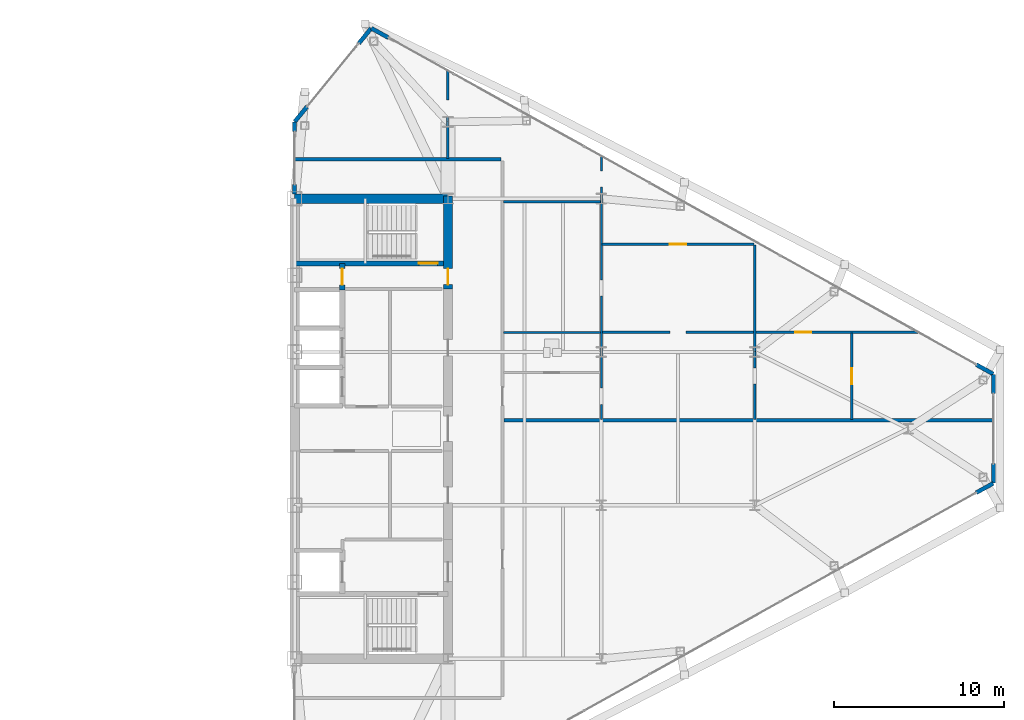
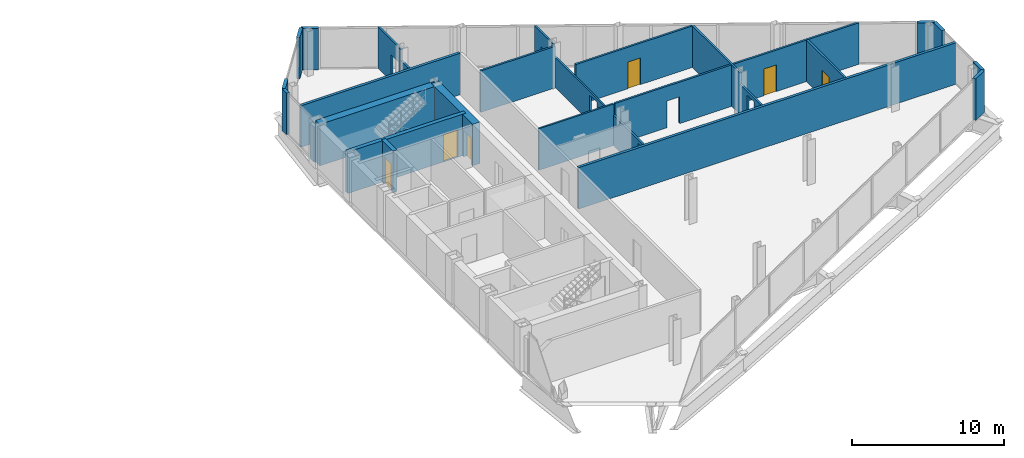
# One storey, part 24 of 28: 26 walls, 6 doors, 12 openings.
"""IFC4 building model written with IfcOpenShell, lengths in metres."""

from ifc_helpers import new_model, si_unit, direction, frame, frame_2d, origin, place, context, subcontext, project, spatial, rectangle, extrude, source, transform, mapped, material, layer, layer_set, type_object, type_shapes, element, fill, save


model = new_model("IFC4")

# Units and contexts
model_context = context("Model", 3, precision=1e-05, world=origin(), true_north=direction((0.0, 1.0)))
body_context = subcontext(model_context, "Body", "Model", "MODEL_VIEW")
ifc_project = project(units=[si_unit("LENGTHUNIT", "METRE"), si_unit("AREAUNIT", "SQUARE_METRE"), si_unit("VOLUMEUNIT", "CUBIC_METRE"), si_unit("PLANEANGLEUNIT", "RADIAN"), si_unit("MASSUNIT", "GRAM", prefix="KILO")], contexts=[model_context])

# Site, building, storey
site_placement = place(None, origin())
site = spatial("IfcSite", under=ifc_project, at=site_placement, CompositionType="ELEMENT")
building_placement = place(site_placement, origin())
building = spatial("IfcBuilding", under=site, at=building_placement, Name="Seokmaru Belvedere", CompositionType="ELEMENT")
storey_placement = place(building_placement, frame((0.0, 0.0, 158.39990234375)))
storey = spatial("IfcBuildingStorey", under=building, at=storey_placement, Name="L42", CompositionType="ELEMENT", Elevation=158.39990234375)

# Wall, openings, door
ifc_material_1 = material(Name="Fire-Rated Gypsum Shaftwall")
ifc_layer_1 = layer(ifc_material_1, 0.14990234375)
ifc_layer_set_1 = layer_set([ifc_layer_1], Name="Fire-Rated Gypsum Shaftwall")
wall_type_1 = type_object("IfcWallType", Name="Apartment Fire-Acoustic Room Partition 150", PredefinedType="PARTITIONING", material=ifc_layer_set_1)
wall_1_placement = place(storey_placement, frame((45.550048828125, 5.659912109375, 0.0), z_axis=(0.0, 0.0, 1.0), x_axis=(1.0, 0.0, 0.0)))
wall_1 = element("IfcWall", 1, at=wall_1_placement, inside=storey, type_object=wall_type_1, Name="L42 Interior Partition 015", PredefinedType="PARTITIONING", context=body_context, shape_type="SweptSolid", body=[
    extrude(rectangle(XDim=18.554931640625, YDim=0.14990234375, at=frame_2d((9.27734375, 0.0))), origin(), (0.0, 0.0, 1.0), 3.340087890625),
])
opening_1_placement = place(wall_1_placement, frame((3.97509765625, 0.0, 0.0)))
element("IfcOpeningElement", 2, at=opening_1_placement, cuts=wall_1, Name="L42 Cased Opening 028", PredefinedType="OPENING", context=body_context, shape_type="SweptSolid", body=[
    extrude(rectangle(XDim=0.949951171875, YDim=2.14990234375, at=frame_2d((0.47509765625, 1.074951171875))), frame((0.0, 0.0849609375, 0.0), z_axis=(0.0, -1.0, 0.0), x_axis=(1.0, 0.0, 0.0)), (0.0, 0.0, 1.0), 0.169921875),
])
opening_2_placement = place(wall_1_placement, frame((11.324951171875, 0.0, 0.0)))
opening_2 = element("IfcOpeningElement", 3, at=opening_2_placement, cuts=wall_1, Name="Opening D05", PredefinedType="OPENING", context=body_context, shape_type="SweptSolid", body=[
    extrude(rectangle(XDim=0.949951171875, YDim=2.14990234375, at=frame_2d((0.47509765625, 1.074951171875))), frame((0.0, 0.0849609375, 0.0), z_axis=(0.0, -1.0, 0.0), x_axis=(1.0, 0.0, 0.0)), (0.0, 0.0, 1.0), 0.169921875),
])
ifc_material_2 = material(Name="Engineered White Oak Timber", Category="wood")
door_type_1 = type_object("IfcDoorType", Name="Apartment Interior Fire-Rated Oak Door 950x2150", OperationType="NOTDEFINED", PredefinedType="DOOR", material=ifc_material_2)
shared_shape_1 = source(origin(), body_context, "Body", "SweptSolid", [
    extrude(rectangle(XDim=0.949951171875, YDim=2.14990234375, at=frame_2d((0.47509765625, 1.074951171875))), frame((0.0, 0.02490234375, 0.0), z_axis=(0.0, -1.0, 0.0), x_axis=(1.0, 0.0, 0.0)), (0.0, 0.0, 1.0), 0.050048828125),
])
type_shapes(door_type_1, [shared_shape_1])
door_1_placement = place(opening_2_placement, origin())
door_1 = element("IfcDoor", 4, at=door_1_placement, inside=storey, type_object=door_type_1, Name="L42 Interior Door 031", OperationType="SINGLE_SWING_LEFT", OverallHeight=2.14990234375, OverallWidth=0.949951171875, PredefinedType="DOOR", context=body_context, shape_type="MappedRepresentation", body=[
    mapped(shared_shape_1, transform((0.0, 0.0, 0.0), scale=1.0)),
])
fill(opening_2, door_1)

# Wall, opening, door
wall_2_placement = place(storey_placement, frame((45.550048828125, 10.830078125, 0.0), z_axis=(0.0, 0.0, 1.0), x_axis=(1.0, 0.0, 0.0)))
wall_2 = element("IfcWall", 5, at=wall_2_placement, inside=storey, type_object=wall_type_1, Name="L42 Interior Partition 017", PredefinedType="PARTITIONING", context=body_context, shape_type="SweptSolid", body=[
    extrude(rectangle(XDim=8.89990234375, YDim=0.14990234375, at=frame_2d((4.449951171875, 0.0))), origin(), (0.0, 0.0, 1.0), 3.340087890625),
])
opening_3_placement = place(wall_2_placement, frame((3.97509765625, 0.0, 0.0)))
opening_3 = element("IfcOpeningElement", 6, at=opening_3_placement, cuts=wall_2, Name="Opening D05", PredefinedType="OPENING", context=body_context, shape_type="SweptSolid", body=[
    extrude(rectangle(XDim=0.949951171875, YDim=2.14990234375, at=frame_2d((0.47509765625, 1.074951171875))), frame((0.0, 0.0849609375, 0.0), z_axis=(0.0, -1.0, 0.0), x_axis=(1.0, 0.0, 0.0)), (0.0, 0.0, 1.0), 0.169921875),
])
door_2_placement = place(opening_3_placement, origin())
door_2 = element("IfcDoor", 7, at=door_2_placement, inside=storey, type_object=door_type_1, Name="L42 Interior Door 032", OperationType="SINGLE_SWING_LEFT", OverallHeight=2.14990234375, OverallWidth=0.949951171875, PredefinedType="DOOR", context=body_context, shape_type="MappedRepresentation", body=[
    mapped(shared_shape_1, transform((0.0, 0.0, 0.0), scale=1.0)),
])
fill(opening_3, door_2)

# Walls
wall_3_placement = place(storey_placement, frame((39.75, 13.320068359375, 0.0), z_axis=(0.0, 0.0, 1.0), x_axis=(1.0, 0.0, 0.0)))
element("IfcWall", 8, at=wall_3_placement, inside=storey, type_object=wall_type_1, Name="L42 Interior Partition 018", PredefinedType="PARTITIONING", context=body_context, shape_type="SweptSolid", body=[
    extrude(rectangle(XDim=5.699951171875, YDim=0.14990234375, at=frame_2d((2.85009765625, 0.0))), origin(), (0.0, 0.0, 1.0), 3.340087890625),
])
wall_4_placement = place(storey_placement, frame((36.5, 15.85009765625, 0.0), z_axis=(0.0, 0.0, 1.0), x_axis=(0.0, 1.0, 0.0)))
element("IfcWall", 9, at=wall_4_placement, inside=storey, type_object=wall_type_1, Name="L42 Interior Partition 029", PredefinedType="PARTITIONING", context=body_context, shape_type="SweptSolid", body=[
    extrude(rectangle(XDim=2.169921875, YDim=0.14990234375, at=frame_2d((1.0849609375, 0.0))), origin(), (0.0, 0.0, 1.0), 2.440185546875),
])

# Wall, opening
wall_5_placement = place(storey_placement, frame((36.5, 18.02001953125, 0.0), z_axis=(0.0, 0.0, 1.0), x_axis=(0.0, 1.0, 0.0)))
wall_5 = element("IfcWall", 10, at=wall_5_placement, inside=storey, type_object=wall_type_1, Name="L42 Interior Partition 029 Part 2", PredefinedType="PARTITIONING", context=body_context, shape_type="SweptSolid", body=[
    extrude(rectangle(XDim=3.011962890625, YDim=0.14990234375, at=frame_2d((1.505859375, 0.0))), origin(), (0.0, 0.0, 1.0), 3.340087890625),
])
opening_4_placement = place(wall_5_placement, frame((0.30810546875, 0.0, 0.0)))
element("IfcOpeningElement", 11, at=opening_4_placement, cuts=wall_5, Name="L42 Cased Opening 034", PredefinedType="OPENING", context=body_context, shape_type="SweptSolid", body=[
    extrude(rectangle(XDim=0.949951171875, YDim=2.14990234375, at=frame_2d((0.47509765625, 1.074951171875))), frame((0.0, 0.0849609375, 0.0), z_axis=(0.0, -1.0, 0.0), x_axis=(1.0, 0.0, 0.0)), (0.0, 0.0, 1.0), 0.169921875),
])

wall_6_placement = place(storey_placement, frame((54.5, 0.550048828125, 0.0), z_axis=(0.0, 0.0, 1.0), x_axis=(0.0, 1.0, 0.0)))
wall_6 = element("IfcWall", 12, at=wall_6_placement, inside=storey, type_object=wall_type_1, Name="L42 Interior Partition 032", PredefinedType="PARTITIONING", context=body_context, shape_type="SweptSolid", body=[
    extrude(rectangle(XDim=3.969970703125, YDim=0.14990234375, at=frame_2d((1.98486328125, 0.0))), origin(), (0.0, 0.0, 1.0), 2.440185546875),
])
opening_5_placement = place(wall_6_placement, frame((2.056884765625, 0.0, 0.0)))
element("IfcOpeningElement", 13, at=opening_5_placement, cuts=wall_6, Name="L42 Cased Opening 027", PredefinedType="OPENING", context=body_context, shape_type="SweptSolid", body=[
    extrude(rectangle(XDim=0.949951171875, YDim=2.14990234375, at=frame_2d((0.47509765625, 1.074951171875))), frame((0.0, 0.0849609375, 0.0), z_axis=(0.0, -1.0, 0.0), x_axis=(1.0, 0.0, 0.0)), (0.0, 0.0, 1.0), 0.169921875),
])

# Wall
wall_7_placement = place(storey_placement, frame((54.5, 4.52001953125, 0.0), z_axis=(0.0, 0.0, 1.0), x_axis=(0.0, 1.0, 0.0)))
element("IfcWall", 14, at=wall_7_placement, inside=storey, type_object=wall_type_1, Name="L42 Interior Partition 032 Part 2", PredefinedType="PARTITIONING", context=body_context, shape_type="SweptSolid", body=[
    extrude(rectangle(XDim=6.258056640625, YDim=0.14990234375, at=frame_2d((3.12890625, 0.0))), origin(), (0.0, 0.0, 1.0), 3.340087890625),
])

# Wall, opening, door
wall_8_placement = place(storey_placement, frame((60.199951171875, 0.550048828125, 0.0), z_axis=(0.0, 0.0, 1.0), x_axis=(0.0, 1.0, 0.0)))
wall_8 = element("IfcWall", 15, at=wall_8_placement, inside=storey, type_object=wall_type_1, Name="L42 Interior Partition 033", PredefinedType="PARTITIONING", context=body_context, shape_type="SweptSolid", body=[
    extrude(rectangle(XDim=5.06396484375, YDim=0.14990234375, at=frame_2d((2.531982421875, 0.0))), origin(), (0.0, 0.0, 1.0), 3.340087890625),
])
opening_6_placement = place(wall_8_placement, frame((2.056884765625, 0.0, 0.0)))
opening_6 = element("IfcOpeningElement", 16, at=opening_6_placement, cuts=wall_8, Name="Opening D05", PredefinedType="OPENING", context=body_context, shape_type="SweptSolid", body=[
    extrude(rectangle(XDim=0.949951171875, YDim=2.14990234375, at=frame_2d((0.47509765625, 1.074951171875))), frame((0.0, 0.0849609375, 0.0), z_axis=(0.0, -1.0, 0.0), x_axis=(1.0, 0.0, 0.0)), (0.0, 0.0, 1.0), 0.169921875),
])
door_3_placement = place(opening_6_placement, origin())
door_3 = element("IfcDoor", 17, at=door_3_placement, inside=storey, type_object=door_type_1, Name="L42 Interior Door 030", OperationType="SINGLE_SWING_LEFT", OverallHeight=2.14990234375, OverallWidth=0.949951171875, PredefinedType="DOOR", context=body_context, shape_type="MappedRepresentation", body=[
    mapped(shared_shape_1, transform((0.0, 0.0, 0.0), scale=1.0)),
])
fill(opening_6, door_3)

# Walls
ifc_layer_2 = layer(ifc_material_1, 0.199951171875)
ifc_layer_set_2 = layer_set([ifc_layer_2], Name="Fire-Rated Gypsum Shaftwall")
wall_type_2 = type_object("IfcWallType", Name="Inter-Tenancy Fire Compartment Partition 200", PredefinedType="PARTITIONING", material=ifc_layer_set_2)
wall_9_placement = place(storey_placement, frame((39.780029296875, 0.5, 0.0), z_axis=(0.0, 0.0, 1.0), x_axis=(1.0, 0.0, 0.0)))
element("IfcWall", 18, at=wall_9_placement, inside=storey, type_object=wall_type_2, Name="L42 Interior Partition 010", PredefinedType="PARTITIONING", context=body_context, shape_type="SweptSolid", body=[
    extrude(rectangle(XDim=28.724853515625, YDim=0.199951171875, at=frame_2d((14.3623046875, 0.0))), origin(), (0.0, 0.0, 1.0), 3.340087890625),
])
wall_10_placement = place(storey_placement, frame((27.5, 15.800048828125, 0.0), z_axis=(0.0, 0.0, 1.0), x_axis=(1.0, 0.0, 0.0)))
element("IfcWall", 19, at=wall_10_placement, inside=storey, type_object=wall_type_2, Name="L42 Interior Partition 020", PredefinedType="PARTITIONING", context=body_context, shape_type="SweptSolid", body=[
    extrude(rectangle(XDim=12.114990234375, YDim=0.199951171875, at=frame_2d((6.0576171875, 0.0))), origin(), (0.0, 0.0, 1.0), 3.340087890625),
])

# Wall, opening, door
ifc_material_3 = material(Name="Concrete C50 (50 MPa)", Category="concrete")
ifc_layer_3 = layer(ifc_material_3, 0.300048828125)
ifc_layer_set_3 = layer_set([ifc_layer_3], Name="Concrete C50 (50 MPa)")
wall_type_3 = type_object("IfcWallType", Name="Internal Core Stair and Hoistway Wall 300", PredefinedType="SHEAR", material=ifc_layer_set_3)
wall_11_placement = place(storey_placement, frame((27.5, 9.699951171875, 0.0), z_axis=(0.0, 0.0, 1.0), x_axis=(1.0, 0.0, 0.0)))
wall_11 = element("IfcWall", 20, at=wall_11_placement, inside=storey, type_object=wall_type_3, Name="L42 East Stair ST-2 Enclosure Wall", PredefinedType="SHEAR", context=body_context, shape_type="SweptSolid", body=[
    extrude(rectangle(XDim=9.0, YDim=0.300048828125, at=frame_2d((4.5, 0.0))), origin(), (0.0, 0.0, 1.0), 3.340087890625),
])
opening_7_placement = place(wall_11_placement, frame((7.300048828125, 0.0, 0.0)))
opening_7 = element("IfcOpeningElement", 21, at=opening_7_placement, cuts=wall_11, Name="Opening D01", PredefinedType="OPENING", context=body_context, shape_type="SweptSolid", body=[
    extrude(rectangle(XDim=1.10009765625, YDim=2.199951171875, at=frame_2d((0.550048828125, 1.10009765625))), frame((0.0, 0.16015625, 0.0), z_axis=(0.0, -1.0, 0.0), x_axis=(1.0, 0.0, 0.0)), (0.0, 0.0, 1.0), 0.320068359375),
])
ifc_material_4 = material(Name="Fire-Rated Steel Leaf", Category="steel")
door_type_2 = type_object("IfcDoorType", Name="Special Escape Stair Smokeproof Fire Door 1100x2200", OperationType="NOTDEFINED", PredefinedType="DOOR", material=ifc_material_4)
shared_shape_2 = source(origin(), body_context, "Body", "SweptSolid", [
    extrude(rectangle(XDim=1.10009765625, YDim=2.199951171875, at=frame_2d((0.550048828125, 1.10009765625))), frame((0.0, 0.02490234375, 0.0), z_axis=(0.0, -1.0, 0.0), x_axis=(1.0, 0.0, 0.0)), (0.0, 0.0, 1.0), 0.050048828125),
])
type_shapes(door_type_2, [shared_shape_2])
door_4_placement = place(opening_7_placement, origin())
door_4 = element("IfcDoor", 22, at=door_4_placement, inside=storey, type_object=door_type_2, Name="L42 East Special Escape Stair ST-2 Door", OperationType="SINGLE_SWING_LEFT", OverallHeight=2.199951171875, OverallWidth=1.10009765625, PredefinedType="DOOR", context=body_context, shape_type="MappedRepresentation", body=[
    mapped(shared_shape_2, transform((0.0, 0.0, 0.0), scale=1.0)),
])
fill(opening_7, door_4)

wall_12_placement = place(storey_placement, frame((30.300048828125, 8.14990234375, 0.0), z_axis=(0.0, 0.0, 1.0), x_axis=(0.0, 1.0, 0.0)))
wall_12 = element("IfcWall", 23, at=wall_12_placement, inside=storey, type_object=wall_type_3, Name="L42 East Electrical Riser Front Wall", PredefinedType="SHEAR", context=body_context, shape_type="SweptSolid", body=[
    extrude(rectangle(XDim=1.530029296875, YDim=0.300048828125, at=frame_2d((0.76513671875, 0.0))), origin(), (0.0, 0.0, 1.0), 3.340087890625),
])
opening_8_placement = place(wall_12_placement, frame((0.284912109375, 0.0, 0.0)))
opening_8 = element("IfcOpeningElement", 24, at=opening_8_placement, cuts=wall_12, Name="Opening D04", PredefinedType="OPENING", context=body_context, shape_type="SweptSolid", body=[
    extrude(rectangle(XDim=0.949951171875, YDim=2.14990234375, at=frame_2d((0.47509765625, 1.074951171875))), frame((0.0, 0.16015625, 0.0), z_axis=(0.0, -1.0, 0.0), x_axis=(1.0, 0.0, 0.0)), (0.0, 0.0, 1.0), 0.320068359375),
])
door_type_3 = type_object("IfcDoorType", Name="Core Service Room Fire Door 950x2150", OperationType="NOTDEFINED", PredefinedType="DOOR", material=ifc_material_4)
shared_shape_3 = source(origin(), body_context, "Body", "SweptSolid", [
    extrude(rectangle(XDim=0.949951171875, YDim=2.14990234375, at=frame_2d((0.47509765625, 1.074951171875))), frame((0.0, 0.02490234375, 0.0), z_axis=(0.0, -1.0, 0.0), x_axis=(1.0, 0.0, 0.0)), (0.0, 0.0, 1.0), 0.050048828125),
])
type_shapes(door_type_3, [shared_shape_3])
door_5_placement = place(opening_8_placement, origin())
door_5 = element("IfcDoor", 25, at=door_5_placement, inside=storey, type_object=door_type_3, Name="L42 East Electrical Riser Access Door", OperationType="SINGLE_SWING_RIGHT", OverallHeight=2.14990234375, OverallWidth=0.949951171875, PredefinedType="DOOR", context=body_context, shape_type="MappedRepresentation", body=[
    mapped(shared_shape_3, transform((0.0, 0.0, 0.0), scale=1.0)),
])
fill(opening_8, door_5)

# Wall
ifc_layer_4 = layer(ifc_material_3, 0.550048828125)
ifc_layer_set_4 = layer_set([ifc_layer_4], Name="Concrete C50 (50 MPa)")
wall_type_4 = type_object("IfcWallType", Name="Mid-High Reinforced Concrete Core Wall 550", PredefinedType="SHEAR", material=ifc_layer_set_4)
wall_13_placement = place(storey_placement, frame((27.5, 13.5, 0.0), z_axis=(0.0, 0.0, 1.0), x_axis=(1.0, 0.0, 0.0)))
element("IfcWall", 26, at=wall_13_placement, inside=storey, type_object=wall_type_4, Name="L42 East North Core Wall", PredefinedType="SHEAR", context=body_context, shape_type="SweptSolid", body=[
    extrude(rectangle(XDim=9.0, YDim=0.550048828125, at=frame_2d((4.5, 0.0))), origin(), (0.0, 0.0, 1.0), 3.340087890625),
])

# Wall, opening, door
wall_14_placement = place(storey_placement, frame((36.5, 8.199951171875, 0.0), z_axis=(0.0, 0.0, 1.0), x_axis=(0.0, 1.0, 0.0)))
wall_14 = element("IfcWall", 27, at=wall_14_placement, inside=storey, type_object=wall_type_4, Name="L42 East West Core Wall VST", PredefinedType="SHEAR", context=body_context, shape_type="SweptSolid", body=[
    extrude(rectangle(XDim=5.449951171875, YDim=0.550048828125, at=frame_2d((2.72509765625, 0.0))), origin(), (0.0, 0.0, 1.0), 3.340087890625),
])
opening_9_placement = place(wall_14_placement, frame((0.2451171875, 0.0, 0.0)))
opening_9 = element("IfcOpeningElement", 28, at=opening_9_placement, cuts=wall_14, Name="Opening D04", PredefinedType="OPENING", context=body_context, shape_type="SweptSolid", body=[
    extrude(rectangle(XDim=0.949951171875, YDim=2.14990234375, at=frame_2d((0.47509765625, 1.074951171875))), frame((0.0, 0.28515625, 0.0), z_axis=(0.0, -1.0, 0.0), x_axis=(1.0, 0.0, 0.0)), (0.0, 0.0, 1.0), 0.570068359375),
])
door_6_placement = place(opening_9_placement, origin())
door_6 = element("IfcDoor", 29, at=door_6_placement, inside=storey, type_object=door_type_3, Name="L42 East Smokeproof Vestibule Door", OperationType="SINGLE_SWING_LEFT", OverallHeight=2.14990234375, OverallWidth=0.949951171875, PredefinedType="DOOR", context=body_context, shape_type="MappedRepresentation", body=[
    mapped(shared_shape_3, transform((0.0, 0.0, 0.0), scale=1.0)),
])
fill(opening_9, door_6)

# Wall
ifc_layer_5 = layer(ifc_material_1, 0.1298828125)
ifc_layer_set_5 = layer_set([ifc_layer_5], Name="Fire-Rated Gypsum Shaftwall")
wall_type_5 = type_object("IfcWallType", Name="Moisture-Resistant Fire-Rated Bathroom Partition 130", PredefinedType="PARTITIONING", material=ifc_layer_set_5)
wall_15_placement = place(storey_placement, frame((39.75, 5.639892578125, 0.0), z_axis=(0.0, 0.0, 1.0), x_axis=(1.0, 0.0, 0.0)))
element("IfcWall", 30, at=wall_15_placement, inside=storey, type_object=wall_type_5, Name="L42 Interior Partition 014", PredefinedType="PARTITIONING", context=body_context, shape_type="SweptSolid", body=[
    extrude(rectangle(XDim=5.699951171875, YDim=0.1298828125, at=frame_2d((2.85009765625, 0.0))), origin(), (0.0, 0.0, 1.0), 3.340087890625),
])

# Wall, openings
wall_16_placement = place(storey_placement, frame((45.5, 0.550048828125, 0.0), z_axis=(0.0, 0.0, 1.0), x_axis=(0.0, 1.0, 0.0)))
wall_16 = element("IfcWall", 31, at=wall_16_placement, inside=storey, type_object=wall_type_5, Name="L42 Interior Partition 031", PredefinedType="PARTITIONING", context=body_context, shape_type="SweptSolid", body=[
    extrude(rectangle(XDim=12.969970703125, YDim=0.1298828125, at=frame_2d((6.48486328125, 0.0))), origin(), (0.0, 0.0, 1.0), 2.440185546875),
])
opening_10_placement = place(wall_16_placement, frame((0.87255859375, 0.0, 0.0)))
element("IfcOpeningElement", 32, at=opening_10_placement, cuts=wall_16, Name="L42 Cased Opening 026", PredefinedType="OPENING", context=body_context, shape_type="SweptSolid", body=[
    extrude(rectangle(XDim=0.949951171875, YDim=2.14990234375, at=frame_2d((0.47509765625, 1.074951171875))), frame((0.0, 0.074951171875, 0.0), z_axis=(0.0, -1.0, 0.0), x_axis=(1.0, 0.0, 0.0)), (0.0, 0.0, 1.0), 0.14990234375),
])
opening_11_placement = place(wall_16_placement, frame((7.220947265625, 0.0, 0.0)))
element("IfcOpeningElement", 33, at=opening_11_placement, cuts=wall_16, Name="L42 Cased Opening 029", PredefinedType="OPENING", context=body_context, shape_type="SweptSolid", body=[
    extrude(rectangle(XDim=0.949951171875, YDim=2.14990234375, at=frame_2d((0.47509765625, 1.074951171875))), frame((0.0, 0.074951171875, 0.0), z_axis=(0.0, -1.0, 0.0), x_axis=(1.0, 0.0, 0.0)), (0.0, 0.0, 1.0), 0.14990234375),
])

# Wall, opening
wall_17_placement = place(storey_placement, frame((45.5, 13.52001953125, 0.0), z_axis=(0.0, 0.0, 1.0), x_axis=(0.0, 1.0, 0.0)))
wall_17 = element("IfcWall", 34, at=wall_17_placement, inside=storey, type_object=wall_type_5, Name="L42 Interior Partition 031 Part 2", PredefinedType="PARTITIONING", context=body_context, shape_type="SweptSolid", body=[
    extrude(rectangle(XDim=2.507080078125, YDim=0.1298828125, at=frame_2d((1.25341796875, 0.0))), origin(), (0.0, 0.0, 1.0), 3.340087890625),
])
opening_12_placement = place(wall_17_placement, frame((0.661376953125, 0.0, 0.0)))
element("IfcOpeningElement", 35, at=opening_12_placement, cuts=wall_17, Name="L42 Cased Opening 033", PredefinedType="OPENING", context=body_context, shape_type="SweptSolid", body=[
    extrude(rectangle(XDim=0.949951171875, YDim=2.14990234375, at=frame_2d((0.47509765625, 1.074951171875))), frame((0.0, 0.074951171875, 0.0), z_axis=(0.0, -1.0, 0.0), x_axis=(1.0, 0.0, 0.0)), (0.0, 0.0, 1.0), 0.14990234375),
])

# Walls
ifc_material_5 = material(Name="Anodised Bronze Aluminium", Category="aluminium")
ifc_layer_6 = layer(ifc_material_5, 0.239990234375)
ifc_layer_set_6 = layer_set([ifc_layer_6], Name="Anodised Bronze Aluminium")
wall_type_6 = type_object("IfcWallType", Name="Tower Corner Spandrel Closure Wall 240", PredefinedType="SOLIDWALL", material=ifc_layer_set_6)
for number, where, z_axis, x_axis, name in (
    (36, (67.4951171875, -3.759033203125, 0.0), (0.0, 0.0, 1.0), (0.87385402111, 0.486188389196, 0.0), "L42 E Corner Closure Pier 1B"),
    (37, (68.5, -3.18994140625, 0.0), (0.0, 0.0, 1.0), (0.0, 1.0, 0.0), "L42 E Corner Closure Pier 2A"),
    (38, (68.5, 2.050048828125, 0.0), (0.0, 0.0, 1.0), (0.0, 1.0, 0.0), "L42 E Corner Closure Pier 2B"),
    (39, (68.4912109375, 3.204833984375, 0.0), (0.0, 0.0, 1.0), (-0.87385402111, 0.486188389196, 0.0), "L42 E Corner Closure Pier 3A"),
    (40, (33.0048828125, 22.94091796875, 0.0), (0.0, 0.0, 1.0), (-0.87385402111, 0.486188389196, 0.0), "L42 E Corner Closure Pier 3B"),
):
    element("IfcWall", number, at=place(storey_placement, frame(where, z_axis=z_axis, x_axis=x_axis)), inside=storey, type_object=wall_type_6, Name=name, PredefinedType="SOLIDWALL", context=body_context, shape_type="SweptSolid", body=[
        extrude(rectangle(XDim=1.139892578125, YDim=0.239990234375, at=frame_2d((0.56982421875, 0.0))), origin(), (0.0, 0.0, 1.0), 3.340087890625),
    ])
for number, where, z_axis, x_axis, name in (
    (41, (31.99365234375, 23.4921875, 0.0), (0.0, 0.0, 1.0), (-0.633249451965, -0.77394775766, 0.0), "L42 E Corner Closure Pier 4A"),
    (42, (28.228271484375, 18.89013671875, 0.0), (0.0, 0.0, 1.0), (-0.633249451965, -0.77394775766, 0.0), "L42 E Corner Closure Pier 4B"),
):
    element("IfcWall", number, at=place(storey_placement, frame(where, z_axis=z_axis, x_axis=x_axis)), inside=storey, type_object=wall_type_6, Name=name, PredefinedType="SOLIDWALL", context=body_context, shape_type="SweptSolid", body=[
        extrude(rectangle(XDim=1.14013671875, YDim=0.239990234375, at=frame_2d((0.570068359375, 0.0))), origin(), (0.0, 0.0, 1.0), 3.340087890625),
    ])
wall_18_placement = place(storey_placement, frame((27.5, 13.780029296875, 0.0), z_axis=(0.0, 0.0, 1.0), x_axis=(0.0, 1.0, 0.0)))
element("IfcWall", 43, at=wall_18_placement, inside=storey, type_object=wall_type_6, Name="L42 E Spine Closure Pier 2A", PredefinedType="SOLIDWALL", context=body_context, shape_type="SweptSolid", body=[
    extrude(rectangle(XDim=0.550048828125, YDim=0.239990234375, at=frame_2d((0.27490234375, 0.0))), origin(), (0.0, 0.0, 1.0), 2.840087890625),
])
wall_19_placement = place(storey_placement, frame((27.5, 17.429931640625, 0.0), z_axis=(0.0, 0.0, 1.0), x_axis=(0.0, 1.0, 0.0)))
element("IfcWall", 44, at=wall_19_placement, inside=storey, type_object=wall_type_6, Name="L42 E Spine Closure Pier 2B", PredefinedType="SOLIDWALL", context=body_context, shape_type="SweptSolid", body=[
    extrude(rectangle(XDim=0.550048828125, YDim=0.239990234375, at=frame_2d((0.27490234375, 0.0))), origin(), (0.0, 0.0, 1.0), 3.340087890625),
])

save(model, "model.ifc")
